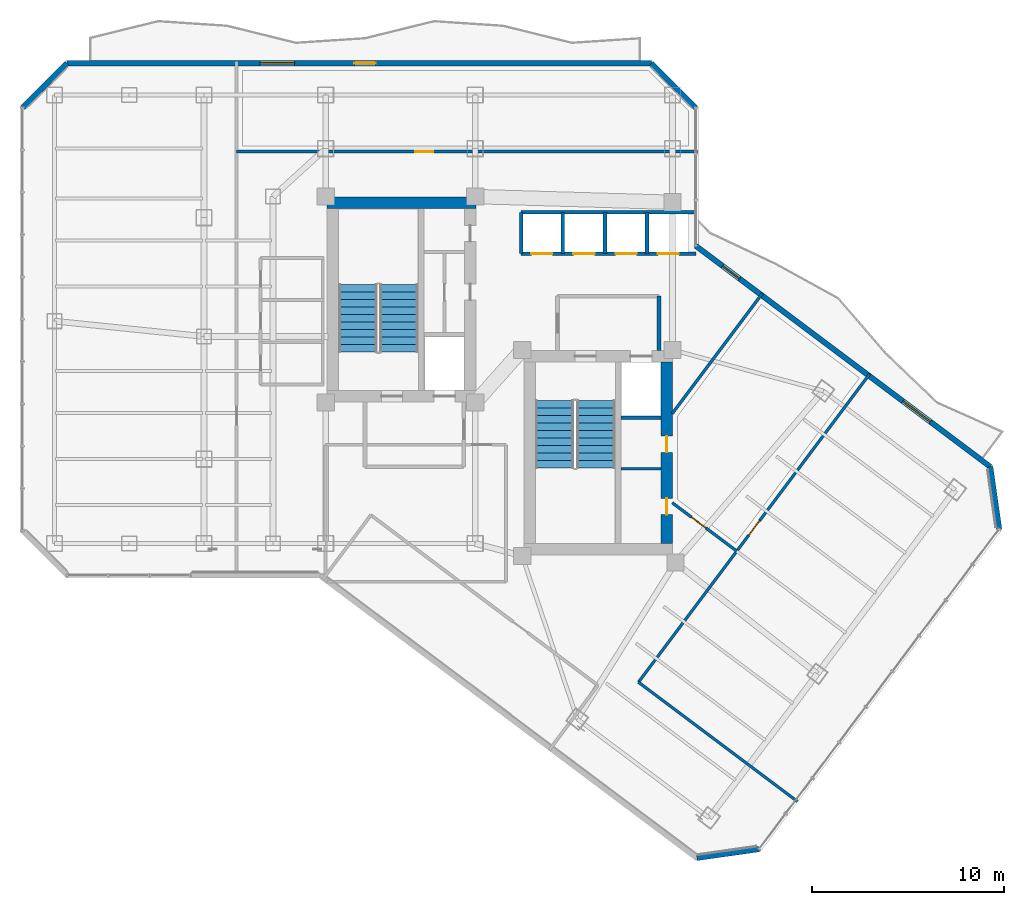
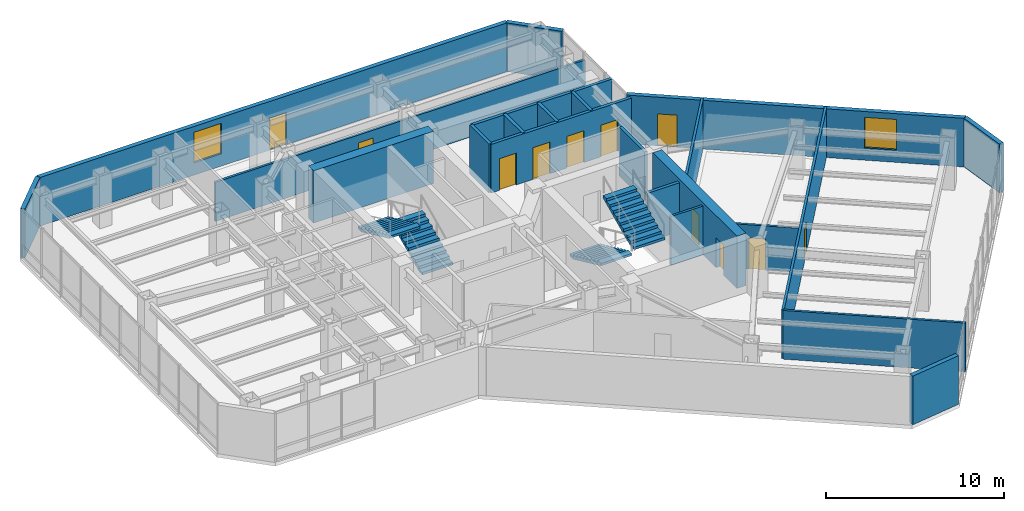
# One storey, part 23 of 26: 22 walls, 11 doors, 4 stair flights, 2 windows, 13 openings, 2 elements without a shape of their own.
"""IFC4 building model written with IfcOpenShell, lengths in metres."""

from ifc_helpers import new_model, si_unit, direction, frame, frame_2d, origin, place, context, subcontext, project, spatial, polyline, rectangle, outline, extrude, material, layer, layer_set, type_object, element, fill, aggregate, save


model = new_model("IFC4")

# Units and contexts
model_context = context("Model", 3, precision=1e-05, world=origin(), true_north=direction((0.0, 1.0)))
body_context = subcontext(model_context, "Body", "Model", "MODEL_VIEW")
ifc_project = project(units=[si_unit("LENGTHUNIT", "METRE"), si_unit("AREAUNIT", "SQUARE_METRE"), si_unit("VOLUMEUNIT", "CUBIC_METRE"), si_unit("PLANEANGLEUNIT", "RADIAN"), si_unit("MASSUNIT", "GRAM", prefix="KILO")], contexts=[model_context])

# Site, building, storey
site_placement = place(None, origin())
site = spatial("IfcSite", under=ifc_project, at=site_placement, CompositionType="ELEMENT")
building_placement = place(site_placement, origin())
building = spatial("IfcBuilding", under=site, at=building_placement, Name="Hatsunagi Terrace Concourse", CompositionType="ELEMENT")
storey_placement = place(building_placement, frame((0.0, 0.0, 152.85009765625)))
storey = spatial("IfcBuildingStorey", under=building, at=storey_placement, Name="L40", CompositionType="ELEMENT", Elevation=152.85009765625)

# Wall
ifc_material_1 = material(Name="Concrete Fc48", Category="concrete")
ifc_layer_1 = layer(ifc_material_1, 0.60009765625)
ifc_layer_set_1 = layer_set([ifc_layer_1], Name="CoreShearWall_Fc48_600")
wall_type_1 = type_object("IfcWallType", Name="CoreShearWall_Fc48_600", PredefinedType="SHEAR", material=ifc_layer_set_1)
wall_1_placement = place(storey_placement, frame((25.6201171875, 42.969970703125, 0.0), z_axis=(0.0, 0.0, 1.0), x_axis=(1.0, 0.0, 0.0)))
element("IfcWall", 1, at=wall_1_placement, inside=storey, type_object=wall_type_1, Name="Core A Shear Wall N L40", PredefinedType="SHEAR", context=body_context, shape_type="SweptSolid", body=[
    extrude(rectangle(XDim=7.77978515625, YDim=0.60009765625, at=frame_2d((3.889892578125, 0.0))), origin(), (0.0, 0.0, 1.0), 3.599853515625),
])

# Wall, openings, doors
wall_2_placement = place(storey_placement, frame((43.35009765625, 25.18994140625, 0.0), z_axis=(0.0, 0.0, 1.0), x_axis=(0.0, 1.0, 0.0)))
wall_2 = element("IfcWall", 2, at=wall_2_placement, inside=storey, type_object=wall_type_1, Name="Core B Shear Wall E L40", PredefinedType="SHEAR", context=body_context, shape_type="SweptSolid", body=[
    extrude(rectangle(XDim=9.47998046875, YDim=0.60009765625, at=frame_2d((4.739990234375, 0.0))), origin(), (0.0, 0.0, 1.0), 3.599853515625),
])
opening_1_placement = place(wall_2_placement, frame((1.510009765625, 0.0, 0.0)))
opening_1 = element("IfcOpeningElement", 3, at=opening_1_placement, cuts=wall_2, Name="Opening DR-085", PredefinedType="OPENING", context=body_context, shape_type="SweptSolid", body=[
    extrude(rectangle(XDim=0.85009765625, YDim=2.080078125, at=frame_2d((0.425048828125, 1.0400390625))), frame((0.0, 0.31005859375, 0.0), z_axis=(0.0, -1.0, 0.0), x_axis=(1.0, 0.0, 0.0)), (0.0, 0.0, 1.0), 0.6201171875),
])
opening_2_placement = place(wall_2_placement, frame((4.760009765625, 0.0, 0.0)))
opening_2 = element("IfcOpeningElement", 4, at=opening_2_placement, cuts=wall_2, Name="Opening DR-085", PredefinedType="OPENING", context=body_context, shape_type="SweptSolid", body=[
    extrude(rectangle(XDim=0.85009765625, YDim=2.080078125, at=frame_2d((0.425048828125, 1.0400390625))), frame((0.0, 0.31005859375, 0.0), z_axis=(0.0, -1.0, 0.0), x_axis=(1.0, 0.0, 0.0)), (0.0, 0.0, 1.0), 0.6201171875),
])
ifc_material_2 = material(Name="Painted steel", Category="steel")
door_type_1 = type_object("IfcDoorType", Name="RiserAccessDoor_EI60_850", OperationType="NOTDEFINED", PredefinedType="DOOR", material=ifc_material_2)
door_1_placement = place(opening_1_placement, origin())
door_1 = element("IfcDoor", 5, at=door_1_placement, inside=storey, type_object=door_type_1, Name="Core B Riser Door L40-1", OperationType="SINGLE_SWING_RIGHT", OverallHeight=2.080078125, OverallWidth=0.85009765625, PredefinedType="DOOR", context=body_context, shape_type="SweptSolid", body=[
    extrude(rectangle(XDim=0.85009765625, YDim=2.080078125, at=frame_2d((0.425048828125, 1.0400390625))), frame((0.0, 0.02490234375, 0.0), z_axis=(0.0, -1.0, 0.0), x_axis=(1.0, 0.0, 0.0)), (0.0, 0.0, 1.0), 0.050048828125),
])
fill(opening_1, door_1)
door_2_placement = place(opening_2_placement, origin())
door_2 = element("IfcDoor", 6, at=door_2_placement, inside=storey, type_object=door_type_1, Name="Core B Riser Door L40-2", OperationType="SINGLE_SWING_RIGHT", OverallHeight=2.080078125, OverallWidth=0.85009765625, PredefinedType="DOOR", context=body_context, shape_type="SweptSolid", body=[
    extrude(rectangle(XDim=0.85009765625, YDim=2.080078125, at=frame_2d((0.425048828125, 1.0400390625))), frame((0.0, 0.02490234375, 0.0), z_axis=(0.0, -1.0, 0.0), x_axis=(1.0, 0.0, 0.0)), (0.0, 0.0, 1.0), 0.050048828125),
])
fill(opening_2, door_2)

# Wall
ifc_material_3 = material(Name="Acoustic mineral board", Category="gypsum")
ifc_layer_2 = layer(ifc_material_3, 0.14990234375)
ifc_layer_set_2 = layer_set([ifc_layer_2], Name="PartitionWall_EI60_150")
wall_type_2 = type_object("IfcWallType", Name="PartitionWall_EI60_150", PredefinedType="PARTITIONING", material=ifc_layer_set_2)
wall_3_placement = place(storey_placement, frame((40.969970703125, 29.10009765625, 0.0), z_axis=(0.0, 0.0, 1.0), x_axis=(1.0, 0.0, 0.0)))
element("IfcWall", 7, at=wall_3_placement, inside=storey, type_object=wall_type_2, Name="Interior Partition IW-L40-005", PredefinedType="PARTITIONING", context=body_context, shape_type="SweptSolid", body=[
    extrude(rectangle(XDim=2.080078125, YDim=0.14990234375, at=frame_2d((1.0400390625, 0.0))), origin(), (0.0, 0.0, 1.0), 3.349853515625),
])

# Wall, opening, door
wall_4_placement = place(storey_placement, frame((20.89990234375, 45.64990234375, 0.0), z_axis=(0.0, 0.0, 1.0), x_axis=(1.0, 0.0, 0.0)))
wall_4 = element("IfcWall", 8, at=wall_4_placement, inside=storey, type_object=wall_type_2, Name="Interior Partition IW-L40-031", PredefinedType="PARTITIONING", context=body_context, shape_type="SweptSolid", body=[
    extrude(rectangle(XDim=24.06005859375, YDim=0.14990234375, at=frame_2d((12.030029296875, 0.0))), origin(), (0.0, 0.0, 1.0), 2.69482421875),
])
opening_3_placement = place(wall_4_placement, frame((9.320068359375, 0.0, 0.0)))
opening_3 = element("IfcOpeningElement", 9, at=opening_3_placement, cuts=wall_4, Name="Opening DR-095", PredefinedType="OPENING", context=body_context, shape_type="SweptSolid", body=[
    extrude(rectangle(XDim=0.949951171875, YDim=2.14990234375, at=frame_2d((0.47509765625, 1.074951171875))), frame((0.0, 0.0849609375, 0.0), z_axis=(0.0, -1.0, 0.0), x_axis=(1.0, 0.0, 0.0)), (0.0, 0.0, 1.0), 0.169921875),
])
ifc_material_4 = material(Name="Hardwood timber", Category="wood")
door_type_2 = type_object("IfcDoorType", Name="InteriorSuiteDoor_EI30_950", OperationType="NOTDEFINED", PredefinedType="DOOR", material=ifc_material_4)
door_3_placement = place(opening_3_placement, origin())
door_3 = element("IfcDoor", 10, at=door_3_placement, inside=storey, type_object=door_type_2, Name="Boardroom L40-ON1 Door", OperationType="SINGLE_SWING_RIGHT", OverallHeight=2.14990234375, OverallWidth=0.949951171875, PredefinedType="DOOR", context=body_context, shape_type="SweptSolid", body=[
    extrude(rectangle(XDim=0.949951171875, YDim=2.14990234375, at=frame_2d((0.47509765625, 1.074951171875))), frame((0.0, 0.02490234375, 0.0), z_axis=(0.0, -1.0, 0.0), x_axis=(1.0, 0.0, 0.0)), (0.0, 0.0, 1.0), 0.050048828125),
])
fill(opening_3, door_3)

# Wall
wall_5_placement = place(storey_placement, frame((41.8701171875, 17.9599609375, 0.0), z_axis=(0.0, 0.0, 1.0), x_axis=(0.799991516197, -0.600011311571, 0.0)))
element("IfcWall", 11, at=wall_5_placement, inside=storey, type_object=wall_type_2, Name="Interior Partition IW-L40-032", PredefinedType="PARTITIONING", context=body_context, shape_type="SweptSolid", body=[
    extrude(rectangle(XDim=10.35986328125, YDim=0.14990234375, at=frame_2d((5.179931640625, 0.0))), origin(), (0.0, 0.0, 1.0), 3.349853515625),
])

# Wall, opening, door
wall_6_placement = place(storey_placement, frame((41.8701171875, 17.9599609375, 0.0), z_axis=(0.0, 0.0, 1.0), x_axis=(0.599994172676, 0.80000437046, 0.0)))
wall_6 = element("IfcWall", 12, at=wall_6_placement, inside=storey, type_object=wall_type_2, Name="Interior Partition IW-L40-033", PredefinedType="PARTITIONING", context=body_context, shape_type="SweptSolid", body=[
    extrude(rectangle(XDim=20.110107421875, YDim=0.14990234375, at=frame_2d((10.05517578125, 0.0))), origin(), (0.0, 0.0, 1.0), 3.349853515625),
])
opening_4_placement = place(wall_6_placement, frame((9.580078125, 0.0, 0.0)))
opening_4 = element("IfcOpeningElement", 13, at=opening_4_placement, cuts=wall_6, Name="Opening DR-095", PredefinedType="OPENING", context=body_context, shape_type="SweptSolid", body=[
    extrude(rectangle(XDim=0.949951171875, YDim=2.14990234375, at=frame_2d((0.47509765625, 1.074951171875))), frame((0.0, 0.0849609375, 0.0), z_axis=(0.0, -1.0, 0.0), x_axis=(1.0, 0.0, 0.0)), (0.0, 0.0, 1.0), 0.169921875),
])
door_4_placement = place(opening_4_placement, origin())
door_4 = element("IfcDoor", 14, at=door_4_placement, inside=storey, type_object=door_type_2, Name="Design Studio L40-OSE1 Door", OperationType="SINGLE_SWING_RIGHT", OverallHeight=2.14990234375, OverallWidth=0.949951171875, PredefinedType="DOOR", context=body_context, shape_type="SweptSolid", body=[
    extrude(rectangle(XDim=0.949951171875, YDim=2.14990234375, at=frame_2d((0.47509765625, 1.074951171875))), frame((0.0, 0.02490234375, 0.0), z_axis=(0.0, -1.0, 0.0), x_axis=(1.0, 0.0, 0.0)), (0.0, 0.0, 1.0), 0.050048828125),
])
fill(opening_4, door_4)

wall_7_placement = place(storey_placement, frame((43.6298828125, 27.327880859375, 0.0), z_axis=(0.0, 0.0, 1.0), x_axis=(0.799972182084, -0.600037088764, 0.0)))
wall_7 = element("IfcWall", 15, at=wall_7_placement, inside=storey, type_object=wall_type_2, Name="Interior Partition IW-L40-034", PredefinedType="PARTITIONING", context=body_context, shape_type="SweptSolid", body=[
    extrude(rectangle(XDim=4.212890625, YDim=0.14990234375, at=frame_2d((2.1064453125, 0.0))), origin(), (0.0, 0.0, 1.0), 3.044921875),
])
opening_5_placement = place(wall_7_placement, frame((1.256103515625, 0.0, 0.0)))
opening_5 = element("IfcOpeningElement", 16, at=opening_5_placement, cuts=wall_7, Name="Opening DR-095", PredefinedType="OPENING", context=body_context, shape_type="SweptSolid", body=[
    extrude(rectangle(XDim=0.949951171875, YDim=2.14990234375, at=frame_2d((0.47509765625, 1.074951171875))), frame((0.0, 0.0849609375, 0.0), z_axis=(0.0, -1.0, 0.0), x_axis=(1.0, 0.0, 0.0)), (0.0, 0.0, 1.0), 0.169921875),
])
door_5_placement = place(opening_5_placement, origin())
door_5 = element("IfcDoor", 17, at=door_5_placement, inside=storey, type_object=door_type_2, Name="Collaboration Lounge L40-OSEN0 Door", OperationType="SINGLE_SWING_LEFT", OverallHeight=2.14990234375, OverallWidth=0.949951171875, PredefinedType="DOOR", context=body_context, shape_type="SweptSolid", body=[
    extrude(rectangle(XDim=0.949951171875, YDim=2.14990234375, at=frame_2d((0.47509765625, 1.074951171875))), frame((0.0, 0.02490234375, 0.0), z_axis=(0.0, -1.0, 0.0), x_axis=(1.0, 0.0, 0.0)), (0.0, 0.0, 1.0), 0.050048828125),
])
fill(opening_5, door_5)

# Walls
wall_8_placement = place(storey_placement, frame((43.6298828125, 31.972900390625, 0.0), z_axis=(0.0, 0.0, 1.0), x_axis=(0.599975099311, 0.800018674911, 0.0)))
element("IfcWall", 18, at=wall_8_placement, inside=storey, type_object=wall_type_2, Name="Interior Partition IW-L40-035", PredefinedType="PARTITIONING", context=body_context, shape_type="SweptSolid", body=[
    extrude(rectangle(XDim=7.84375, YDim=0.14990234375, at=frame_2d((3.921875, 0.0))), origin(), (0.0, 0.0, 1.0), 3.349853515625),
])
ifc_material_5 = material(Name="Acoustic mineral board", Category="gypsum")
ifc_layer_3 = layer(ifc_material_5, 0.199951171875)
ifc_layer_set_3 = layer_set([ifc_layer_3], Name="ShaftWall_EI120_200")
wall_type_3 = type_object("IfcWallType", Name="ShaftWall_EI120_200", PredefinedType="STANDARD", material=ifc_layer_set_3)
wall_9_placement = place(storey_placement, frame((40.969970703125, 31.760009765625, 0.0), z_axis=(0.0, 0.0, 1.0), x_axis=(1.0, 0.0, 0.0)))
element("IfcWall", 19, at=wall_9_placement, inside=storey, type_object=wall_type_3, Name="Interior Partition IW-L40-004", PredefinedType="STANDARD", context=body_context, shape_type="SweptSolid", body=[
    extrude(rectangle(XDim=2.080078125, YDim=0.199951171875, at=frame_2d((1.0400390625, 0.0))), origin(), (0.0, 0.0, 1.0), 3.349853515625),
])
wall_10_placement = place(storey_placement, frame((42.949951171875, 35.27001953125, 0.0), z_axis=(0.0, 0.0, 1.0), x_axis=(0.0, 1.0, 0.0)))
element("IfcWall", 20, at=wall_10_placement, inside=storey, type_object=wall_type_3, Name="Interior Partition IW-L40-010", PredefinedType="STANDARD", context=body_context, shape_type="SweptSolid", body=[
    extrude(rectangle(XDim=2.830078125, YDim=0.199951171875, at=frame_2d((1.4150390625, 0.0))), origin(), (0.0, 0.0, 1.0), 3.349853515625),
])
wall_11_placement = place(storey_placement, frame((35.75, 42.47998046875, 0.0), z_axis=(0.0, 0.0, 1.0), x_axis=(1.0, 0.0, 0.0)))
element("IfcWall", 21, at=wall_11_placement, inside=storey, type_object=wall_type_3, Name="Interior Partition IW-L40-012", PredefinedType="STANDARD", context=body_context, shape_type="SweptSolid", body=[
    extrude(rectangle(XDim=9.110107421875, YDim=0.199951171875, at=frame_2d((4.55517578125, 0.0))), origin(), (0.0, 0.0, 1.0), 3.349853515625),
])
for number, where, z_axis, x_axis, name in (
    (22, (35.75, 40.320068359375, 0.0), (0.0, 0.0, 1.0), (0.0, 1.0, 0.0), "Interior Partition IW-L40-013"),
    (23, (37.919921875, 40.320068359375, 0.0), (0.0, 0.0, 1.0), (0.0, 1.0, 0.0), "Interior Partition IW-L40-014"),
    (24, (40.1201171875, 40.320068359375, 0.0), (0.0, 0.0, 1.0), (0.0, 1.0, 0.0), "Interior Partition IW-L40-015"),
    (25, (42.320068359375, 40.320068359375, 0.0), (0.0, 0.0, 1.0), (0.0, 1.0, 0.0), "Interior Partition IW-L40-016"),
):
    element("IfcWall", number, at=place(storey_placement, frame(where, z_axis=z_axis, x_axis=x_axis)), inside=storey, type_object=wall_type_3, Name=name, PredefinedType="STANDARD", context=body_context, shape_type="SweptSolid", body=[
        extrude(rectangle(XDim=2.159912109375, YDim=0.199951171875, at=frame_2d((1.080078125, 0.0))), origin(), (0.0, 0.0, 1.0), 3.349853515625),
    ])

# Wall, openings, doors
wall_12_placement = place(storey_placement, frame((35.75, 40.320068359375, 0.0), z_axis=(0.0, 0.0, 1.0), x_axis=(1.0, 0.0, 0.0)))
wall_12 = element("IfcWall", 26, at=wall_12_placement, inside=storey, type_object=wall_type_3, Name="Interior Partition IW-L40-017", PredefinedType="STANDARD", context=body_context, shape_type="SweptSolid", body=[
    extrude(rectangle(XDim=9.110107421875, YDim=0.199951171875, at=frame_2d((4.55517578125, 0.0))), origin(), (0.0, 0.0, 1.0), 3.349853515625),
])
opening_6_placement = place(wall_12_placement, frame((0.530029296875, 0.0, 0.0)))
opening_6 = element("IfcOpeningElement", 27, at=opening_6_placement, cuts=wall_12, Name="Opening LD-04", PredefinedType="OPENING", context=body_context, shape_type="SweptSolid", body=[
    extrude(rectangle(XDim=1.10009765625, YDim=2.179931640625, at=frame_2d((0.550048828125, 1.08984375))), frame((0.0, 0.10986328125, 0.0), z_axis=(0.0, -1.0, 0.0), x_axis=(1.0, 0.0, 0.0)), (0.0, 0.0, 1.0), 0.219970703125),
])
opening_7_placement = place(wall_12_placement, frame((2.72998046875, 0.0, 0.0)))
opening_7 = element("IfcOpeningElement", 28, at=opening_7_placement, cuts=wall_12, Name="Opening LD-04", PredefinedType="OPENING", context=body_context, shape_type="SweptSolid", body=[
    extrude(rectangle(XDim=1.10009765625, YDim=2.179931640625, at=frame_2d((0.550048828125, 1.08984375))), frame((0.0, 0.10986328125, 0.0), z_axis=(0.0, -1.0, 0.0), x_axis=(1.0, 0.0, 0.0)), (0.0, 0.0, 1.0), 0.219970703125),
])
opening_8_placement = place(wall_12_placement, frame((4.929931640625, 0.0, 0.0)))
opening_8 = element("IfcOpeningElement", 29, at=opening_8_placement, cuts=wall_12, Name="Opening LD-04", PredefinedType="OPENING", context=body_context, shape_type="SweptSolid", body=[
    extrude(rectangle(XDim=1.10009765625, YDim=2.179931640625, at=frame_2d((0.550048828125, 1.08984375))), frame((0.0, 0.10986328125, 0.0), z_axis=(0.0, -1.0, 0.0), x_axis=(1.0, 0.0, 0.0)), (0.0, 0.0, 1.0), 0.219970703125),
])
opening_9_placement = place(wall_12_placement, frame((7.1298828125, 0.0, 0.0)))
opening_9 = element("IfcOpeningElement", 30, at=opening_9_placement, cuts=wall_12, Name="Opening LD-04", PredefinedType="OPENING", context=body_context, shape_type="SweptSolid", body=[
    extrude(rectangle(XDim=1.10009765625, YDim=2.179931640625, at=frame_2d((0.550048828125, 1.08984375))), frame((0.0, 0.10986328125, 0.0), z_axis=(0.0, -1.0, 0.0), x_axis=(1.0, 0.0, 0.0)), (0.0, 0.0, 1.0), 0.219970703125),
])
ifc_material_6 = material(Name="Stainless steel", Category="steel")
door_type_3 = type_object("IfcDoorType", Name="LiftLandingDoor_LD04", OperationType="SLIDING_TO_RIGHT", PredefinedType="USERDEFINED", material=ifc_material_6)
door_6_placement = place(opening_6_placement, origin())
door_6 = element("IfcDoor", 31, at=door_6_placement, inside=storey, type_object=door_type_3, Name="Lift landing door PL-05 L40", ObjectType="SLIDING_LANDING_DOOR", OperationType="SLIDING_TO_RIGHT", OverallHeight=2.179931640625, OverallWidth=1.10009765625, PredefinedType="USERDEFINED", context=body_context, shape_type="SweptSolid", body=[
    extrude(rectangle(XDim=1.10009765625, YDim=2.179931640625, at=frame_2d((0.550048828125, 1.08984375))), frame((0.0, 0.02490234375, 0.0), z_axis=(0.0, -1.0, 0.0), x_axis=(1.0, 0.0, 0.0)), (0.0, 0.0, 1.0), 0.050048828125),
])
fill(opening_6, door_6)
door_7_placement = place(opening_7_placement, origin())
door_7 = element("IfcDoor", 32, at=door_7_placement, inside=storey, type_object=door_type_3, Name="Lift landing door PL-06 L40", ObjectType="SLIDING_LANDING_DOOR", OperationType="SLIDING_TO_RIGHT", OverallHeight=2.179931640625, OverallWidth=1.10009765625, PredefinedType="USERDEFINED", context=body_context, shape_type="SweptSolid", body=[
    extrude(rectangle(XDim=1.10009765625, YDim=2.179931640625, at=frame_2d((0.550048828125, 1.08984375))), frame((0.0, 0.02490234375, 0.0), z_axis=(0.0, -1.0, 0.0), x_axis=(1.0, 0.0, 0.0)), (0.0, 0.0, 1.0), 0.050048828125),
])
fill(opening_7, door_7)
door_8_placement = place(opening_8_placement, origin())
door_8 = element("IfcDoor", 33, at=door_8_placement, inside=storey, type_object=door_type_3, Name="Lift landing door PL-07 L40", ObjectType="SLIDING_LANDING_DOOR", OperationType="SLIDING_TO_RIGHT", OverallHeight=2.179931640625, OverallWidth=1.10009765625, PredefinedType="USERDEFINED", context=body_context, shape_type="SweptSolid", body=[
    extrude(rectangle(XDim=1.10009765625, YDim=2.179931640625, at=frame_2d((0.550048828125, 1.08984375))), frame((0.0, 0.02490234375, 0.0), z_axis=(0.0, -1.0, 0.0), x_axis=(1.0, 0.0, 0.0)), (0.0, 0.0, 1.0), 0.050048828125),
])
fill(opening_8, door_8)
door_9_placement = place(opening_9_placement, origin())
door_9 = element("IfcDoor", 34, at=door_9_placement, inside=storey, type_object=door_type_3, Name="Lift landing door PL-08 L40", ObjectType="SLIDING_LANDING_DOOR", OperationType="SLIDING_TO_RIGHT", OverallHeight=2.179931640625, OverallWidth=1.10009765625, PredefinedType="USERDEFINED", context=body_context, shape_type="SweptSolid", body=[
    extrude(rectangle(XDim=1.10009765625, YDim=2.179931640625, at=frame_2d((0.550048828125, 1.08984375))), frame((0.0, 0.02490234375, 0.0), z_axis=(0.0, -1.0, 0.0), x_axis=(1.0, 0.0, 0.0)), (0.0, 0.0, 1.0), 0.050048828125),
])
fill(opening_9, door_9)

# Wall, openings, door, window
ifc_material_7 = material(Name="Autoclaved Lightweight Concrete and Terracotta Cladding", Category="masonry")
ifc_layer_4 = layer(ifc_material_7, 0.280029296875)
ifc_layer_set_4 = layer_set([ifc_layer_4], Name="TerracottaSpandrelWall_280")
wall_type_4 = type_object("IfcWallType", Name="TerracottaSpandrelWall_280", PredefinedType="STANDARD", material=ifc_layer_set_4)
wall_13_placement = place(storey_placement, frame((44.860107421875, 40.72998046875, 0.0), z_axis=(0.0, 0.0, 1.0), x_axis=(0.800007624502, -0.599989833863, 0.0)))
wall_13 = element("IfcWall", 35, at=wall_13_placement, inside=storey, type_object=wall_type_4, Name="Exterior Spandrel Wall EW-L40-01", PredefinedType="STANDARD", context=body_context, shape_type="SweptSolid", body=[
    extrude(rectangle(XDim=19.212158203125, YDim=0.280029296875, at=frame_2d((9.60595703125, 0.0))), origin(), (0.0, 0.0, 1.0), 3.349853515625),
])
opening_10_placement = place(wall_13_placement, frame((1.7548828125, 0.0, 0.0)))
opening_10 = element("IfcOpeningElement", 36, at=opening_10_placement, cuts=wall_13, Name="Opening BD-01", PredefinedType="OPENING", context=body_context, shape_type="SweptSolid", body=[
    extrude(rectangle(XDim=1.10009765625, YDim=2.199951171875, at=frame_2d((0.550048828125, 1.10009765625))), frame((0.0, 0.14990234375, 0.0), z_axis=(0.0, -1.0, 0.0), x_axis=(1.0, 0.0, 0.0)), (0.0, 0.0, 1.0), 0.300048828125),
])
opening_11_placement = place(wall_13_placement, frame((13.509033203125, 0.0, 0.85009765625)))
opening_11 = element("IfcOpeningElement", 37, at=opening_11_placement, cuts=wall_13, Name="Opening WIN-03", PredefinedType="OPENING", context=body_context, shape_type="SweptSolid", body=[
    extrude(rectangle(XDim=1.800048828125, YDim=2.10009765625, at=frame_2d((0.89990234375, 1.050048828125))), frame((0.0, 0.14990234375, 0.0), z_axis=(0.0, -1.0, 0.0), x_axis=(1.0, 0.0, 0.0)), (0.0, 0.0, 1.0), 0.300048828125),
])
ifc_material_8 = material(Name="Galvanised Steel and Laminated Safety Glass", Category="steel")
door_type_4 = type_object("IfcDoorType", Name="BalconyTerraceAccessDoor_1100x2200", OperationType="SINGLE_SWING_LEFT", PredefinedType="DOOR", material=ifc_material_8)
door_10_placement = place(opening_10_placement, origin())
door_10 = element("IfcDoor", 38, at=door_10_placement, inside=storey, type_object=door_type_4, Name="Engawa Balcony Door L40-BSE", OperationType="SINGLE_SWING_LEFT", OverallHeight=2.199951171875, OverallWidth=1.10009765625, PredefinedType="DOOR", context=body_context, shape_type="SweptSolid", body=[
    extrude(rectangle(XDim=1.10009765625, YDim=2.199951171875, at=frame_2d((0.550048828125, 1.10009765625))), frame((0.0, 0.02490234375, 0.0), z_axis=(0.0, -1.0, 0.0), x_axis=(1.0, 0.0, 0.0)), (0.0, 0.0, 1.0), 0.050048828125),
])
fill(opening_10, door_10)
ifc_material_9 = material(Name="Thermally Broken Aluminium and Low-E Triple Glazing", Category="aluminium")
window_type = type_object("IfcWindowType", Name="OfficeCornerFeatureWindow_1800x2100", PartitioningType="SINGLE_PANEL", PredefinedType="WINDOW", material=ifc_material_9)
window_1_placement = place(opening_11_placement, origin())
window_1 = element("IfcWindow", 39, at=window_1_placement, inside=storey, type_object=window_type, Name="Balcony Daylighting Window L40-01-2", OverallHeight=2.10009765625, OverallWidth=1.800048828125, PartitioningType="SINGLE_PANEL", PredefinedType="WINDOW", context=body_context, shape_type="SweptSolid", body=[
    extrude(rectangle(XDim=1.800048828125, YDim=2.10009765625, at=frame_2d((0.89990234375, 1.050048828125))), frame((0.0, 0.030029296875, 0.0), z_axis=(0.0, -1.0, 0.0), x_axis=(1.0, 0.0, 0.0)), (0.0, 0.0, 1.0), 0.06005859375),
])
fill(opening_11, window_1)

# Walls
wall_14_placement = place(storey_placement, frame((60.22998046875, 29.202880859375, 0.0), z_axis=(0.0, 0.0, 1.0), x_axis=(0.141296221922, -0.989967361922, 0.0)))
element("IfcWall", 40, at=wall_14_placement, inside=storey, type_object=wall_type_4, Name="Exterior Spandrel Wall EW-L40-02", PredefinedType="STANDARD", context=body_context, shape_type="SweptSolid", body=[
    extrude(rectangle(XDim=3.27783203125, YDim=0.280029296875, at=frame_2d((1.638916015625, 0.0))), origin(), (0.0, 0.0, 1.0), 3.349853515625),
])
wall_15_placement = place(storey_placement, frame((48.1630859375, 9.25, 0.0), z_axis=(0.0, 0.0, 1.0), x_axis=(-0.989979263428, -0.141212810973, 0.0)))
element("IfcWall", 41, at=wall_15_placement, inside=storey, type_object=wall_type_4, Name="Exterior Spandrel Wall EW-L40-04", PredefinedType="STANDARD", context=body_context, shape_type="SweptSolid", body=[
    extrude(rectangle(XDim=3.278076171875, YDim=0.280029296875, at=frame_2d((1.63916015625, 0.0))), origin(), (0.0, 0.0, 1.0), 3.349853515625),
])
wall_16_placement = place(storey_placement, frame((9.739990234375, 47.94189453125, 0.0), z_axis=(0.0, 0.0, 1.0), x_axis=(0.707106781187, 0.707106781187, 0.0)))
element("IfcWall", 42, at=wall_16_placement, inside=storey, type_object=wall_type_4, Name="Exterior Spandrel Wall EW-L40-10", PredefinedType="STANDARD", context=body_context, shape_type="SweptSolid", body=[
    extrude(rectangle(XDim=3.2783203125, YDim=0.280029296875, at=frame_2d((1.63916015625, 0.0))), origin(), (0.0, 0.0, 1.0), 3.349853515625),
])

# Wall, openings, door, window
wall_17_placement = place(storey_placement, frame((12.05810546875, 50.260009765625, 0.0), z_axis=(0.0, 0.0, 1.0), x_axis=(1.0, 0.0, 0.0)))
wall_17 = element("IfcWall", 43, at=wall_17_placement, inside=storey, type_object=wall_type_4, Name="Exterior Spandrel Wall EW-L40-11", PredefinedType="STANDARD", context=body_context, shape_type="SweptSolid", body=[
    extrude(rectangle(XDim=30.48388671875, YDim=0.280029296875, at=frame_2d((15.241943359375, 0.0))), origin(), (0.0, 0.0, 1.0), 3.349853515625),
])
opening_12_placement = place(wall_17_placement, frame((14.991943359375, 0.0, 0.0)))
opening_12 = element("IfcOpeningElement", 44, at=opening_12_placement, cuts=wall_17, Name="Opening BD-01", PredefinedType="OPENING", context=body_context, shape_type="SweptSolid", body=[
    extrude(rectangle(XDim=1.10009765625, YDim=2.199951171875, at=frame_2d((0.550048828125, 1.10009765625))), frame((0.0, 0.14990234375, 0.0), z_axis=(0.0, -1.0, 0.0), x_axis=(1.0, 0.0, 0.0)), (0.0, 0.0, 1.0), 0.300048828125),
])
opening_13_placement = place(wall_17_placement, frame((10.073974609375, 0.0, 0.85009765625)))
opening_13 = element("IfcOpeningElement", 45, at=opening_13_placement, cuts=wall_17, Name="Opening WIN-03", PredefinedType="OPENING", context=body_context, shape_type="SweptSolid", body=[
    extrude(rectangle(XDim=1.800048828125, YDim=2.10009765625, at=frame_2d((0.89990234375, 1.050048828125))), frame((0.0, 0.14990234375, 0.0), z_axis=(0.0, -1.0, 0.0), x_axis=(1.0, 0.0, 0.0)), (0.0, 0.0, 1.0), 0.300048828125),
])
door_11_placement = place(opening_12_placement, origin())
door_11 = element("IfcDoor", 46, at=door_11_placement, inside=storey, type_object=door_type_4, Name="Engawa Balcony Door L40-BN", OperationType="SINGLE_SWING_RIGHT", OverallHeight=2.199951171875, OverallWidth=1.10009765625, PredefinedType="DOOR", context=body_context, shape_type="SweptSolid", body=[
    extrude(rectangle(XDim=1.10009765625, YDim=2.199951171875, at=frame_2d((0.550048828125, 1.10009765625))), frame((0.0, 0.02490234375, 0.0), z_axis=(0.0, -1.0, 0.0), x_axis=(1.0, 0.0, 0.0)), (0.0, 0.0, 1.0), 0.050048828125),
])
fill(opening_12, door_11)
window_2_placement = place(opening_13_placement, origin())
window_2 = element("IfcWindow", 47, at=window_2_placement, inside=storey, type_object=window_type, Name="Balcony Daylighting Window L40-11-1", OverallHeight=2.10009765625, OverallWidth=1.800048828125, PartitioningType="SINGLE_PANEL", PredefinedType="WINDOW", context=body_context, shape_type="SweptSolid", body=[
    extrude(rectangle(XDim=1.800048828125, YDim=2.10009765625, at=frame_2d((0.89990234375, 1.050048828125))), frame((0.0, 0.030029296875, 0.0), z_axis=(0.0, -1.0, 0.0), x_axis=(1.0, 0.0, 0.0)), (0.0, 0.0, 1.0), 0.06005859375),
])
fill(opening_13, window_2)

# Wall
wall_18_placement = place(storey_placement, frame((42.5419921875, 50.260009765625, 0.0), z_axis=(0.0, 0.0, 1.0), x_axis=(0.707106781187, -0.707106781187, 0.0)))
element("IfcWall", 48, at=wall_18_placement, inside=storey, type_object=wall_type_4, Name="Exterior Spandrel Wall EW-L40-12", PredefinedType="STANDARD", context=body_context, shape_type="SweptSolid", body=[
    extrude(rectangle(XDim=3.2783203125, YDim=0.280029296875, at=frame_2d((1.63916015625, 0.0))), origin(), (0.0, 0.0, 1.0), 3.349853515625),
])

# Stair, stair flights
ifc_material_10 = material(Name="Concrete Fc42", Category="concrete")
stair_type = type_object("IfcStairType", Name="DoglegExitStair_Tower2000_20R_180", PredefinedType="HALF_TURN_STAIR", material=ifc_material_10)
stair_1_placement = place(storey_placement, origin())
stair_1 = element("IfcStair", 49, at=stair_1_placement, inside=storey, type_object=stair_type, Name="L40 Core A Protected Exit Stair ST-A", PredefinedType="HALF_TURN_STAIR")
ifc_material_11 = material(Name="Concrete Fc42", Category="concrete")
stair_flight_type = type_object("IfcStairFlightType", Name="DoglegStairFlight_Tower2000_20R_180", PredefinedType="STRAIGHT", material=ifc_material_11)
stair_flight_1_placement = place(storey_placement, frame((29.3798828125, 35.199951171875, 0.0), z_axis=(0.0, 0.0, 1.0), x_axis=(0.0, 1.0, 0.0)))
stair_flight_1 = element("IfcStairFlight", 50, at=stair_flight_1_placement, type_object=stair_flight_type, Name="ST-A flight 1", NumberOfRisers=10, NumberOfTreads=9, PredefinedType="STRAIGHT", RiserHeight=0.18, TreadLength=0.39, context=body_context, shape_type="SweptSolid", body=[
    extrude(outline(polyline([(0.0, 0.0), (0.0, 0.179931640625), (0.389892578125, 0.179931640625), (0.389892578125, 0.360107421875), (0.780029296875, 0.360107421875), (0.780029296875, 0.5400390625), (1.169921875, 0.5400390625), (1.169921875, 0.719970703125), (1.56005859375, 0.719970703125), (1.56005859375, 0.89990234375), (1.949951171875, 0.89990234375), (1.949951171875, 1.080078125), (2.340087890625, 1.080078125), (2.340087890625, 1.260009765625), (2.72998046875, 1.260009765625), (2.72998046875, 1.43994140625), (3.1201171875, 1.43994140625), (3.1201171875, 1.6201171875), (3.510009765625, 1.6201171875), (3.510009765625, 1.800048828125), (3.510009765625, 1.454833984375), (0.357666015625, 0.0), (0.0, 0.0)])), frame((0.0, 1.0, 0.0), z_axis=(0.0, -1.0, 0.0), x_axis=(1.0, 0.0, 0.0)), (0.0, 0.0, 1.0), 2.0),
])
stair_flight_2_placement = place(storey_placement, frame((27.22998046875, 38.7099609375, 1.7998046875), z_axis=(0.0, 0.0, 1.0), x_axis=(0.0, -1.0, 0.0)))
stair_flight_2 = element("IfcStairFlight", 51, at=stair_flight_2_placement, type_object=stair_flight_type, Name="ST-A flight 2", NumberOfRisers=10, NumberOfTreads=9, PredefinedType="STRAIGHT", RiserHeight=0.18, TreadLength=0.39, context=body_context, shape_type="SweptSolid", body=[
    extrude(outline(polyline([(0.0, 0.0), (0.0, 0.179931640625), (0.389892578125, 0.179931640625), (0.389892578125, 0.360107421875), (0.780029296875, 0.360107421875), (0.780029296875, 0.5400390625), (1.169921875, 0.5400390625), (1.169921875, 0.719970703125), (1.56005859375, 0.719970703125), (1.56005859375, 0.89990234375), (1.949951171875, 0.89990234375), (1.949951171875, 1.080078125), (2.340087890625, 1.080078125), (2.340087890625, 1.260009765625), (2.72998046875, 1.260009765625), (2.72998046875, 1.43994140625), (3.1201171875, 1.43994140625), (3.1201171875, 1.6201171875), (3.510009765625, 1.6201171875), (3.510009765625, 1.800048828125), (3.510009765625, 1.454833984375), (0.357666015625, 0.0), (0.0, 0.0)])), frame((0.0, 1.0, 0.0), z_axis=(0.0, -1.0, 0.0), x_axis=(1.0, 0.0, 0.0)), (0.0, 0.0, 1.0), 2.0),
])
aggregate(stair_1, [stair_flight_1, stair_flight_2])

stair_2_placement = place(storey_placement, origin())
stair_2 = element("IfcStair", 52, at=stair_2_placement, inside=storey, type_object=stair_type, Name="L40 Core B Protected Exit Stair ST-B", PredefinedType="HALF_TURN_STAIR")
stair_flight_3_placement = place(storey_placement, frame((37.5, 32.659912109375, 0.0), z_axis=(0.0, 0.0, 1.0), x_axis=(0.0, -1.0, 0.0)))
stair_flight_3 = element("IfcStairFlight", 53, at=stair_flight_3_placement, type_object=stair_flight_type, Name="ST-B flight 1", NumberOfRisers=10, NumberOfTreads=9, PredefinedType="STRAIGHT", RiserHeight=0.18, TreadLength=0.39, context=body_context, shape_type="SweptSolid", body=[
    extrude(outline(polyline([(0.0, 0.0), (0.0, 0.179931640625), (0.389892578125, 0.179931640625), (0.389892578125, 0.360107421875), (0.780029296875, 0.360107421875), (0.780029296875, 0.5400390625), (1.169921875, 0.5400390625), (1.169921875, 0.719970703125), (1.56005859375, 0.719970703125), (1.56005859375, 0.89990234375), (1.949951171875, 0.89990234375), (1.949951171875, 1.080078125), (2.340087890625, 1.080078125), (2.340087890625, 1.260009765625), (2.72998046875, 1.260009765625), (2.72998046875, 1.43994140625), (3.1201171875, 1.43994140625), (3.1201171875, 1.6201171875), (3.510009765625, 1.6201171875), (3.510009765625, 1.800048828125), (3.510009765625, 1.454833984375), (0.357666015625, 0.0), (0.0, 0.0)])), frame((0.0, 1.0, 0.0), z_axis=(0.0, -1.0, 0.0), x_axis=(1.0, 0.0, 0.0)), (0.0, 0.0, 1.0), 2.0),
])
stair_flight_4_placement = place(storey_placement, frame((39.64990234375, 29.14990234375, 1.7998046875), z_axis=(0.0, 0.0, 1.0), x_axis=(0.0, 1.0, 0.0)))
stair_flight_4 = element("IfcStairFlight", 54, at=stair_flight_4_placement, type_object=stair_flight_type, Name="ST-B flight 2", NumberOfRisers=10, NumberOfTreads=9, PredefinedType="STRAIGHT", RiserHeight=0.18, TreadLength=0.39, context=body_context, shape_type="SweptSolid", body=[
    extrude(outline(polyline([(0.0, 0.0), (0.0, 0.179931640625), (0.389892578125, 0.179931640625), (0.389892578125, 0.360107421875), (0.780029296875, 0.360107421875), (0.780029296875, 0.5400390625), (1.169921875, 0.5400390625), (1.169921875, 0.719970703125), (1.56005859375, 0.719970703125), (1.56005859375, 0.89990234375), (1.949951171875, 0.89990234375), (1.949951171875, 1.080078125), (2.340087890625, 1.080078125), (2.340087890625, 1.260009765625), (2.72998046875, 1.260009765625), (2.72998046875, 1.43994140625), (3.1201171875, 1.43994140625), (3.1201171875, 1.6201171875), (3.510009765625, 1.6201171875), (3.510009765625, 1.800048828125), (3.510009765625, 1.454833984375), (0.357666015625, 0.0), (0.0, 0.0)])), frame((0.0, 1.0, 0.0), z_axis=(0.0, -1.0, 0.0), x_axis=(1.0, 0.0, 0.0)), (0.0, 0.0, 1.0), 2.0),
])
aggregate(stair_2, [stair_flight_3, stair_flight_4])

save(model, "model.ifc")
